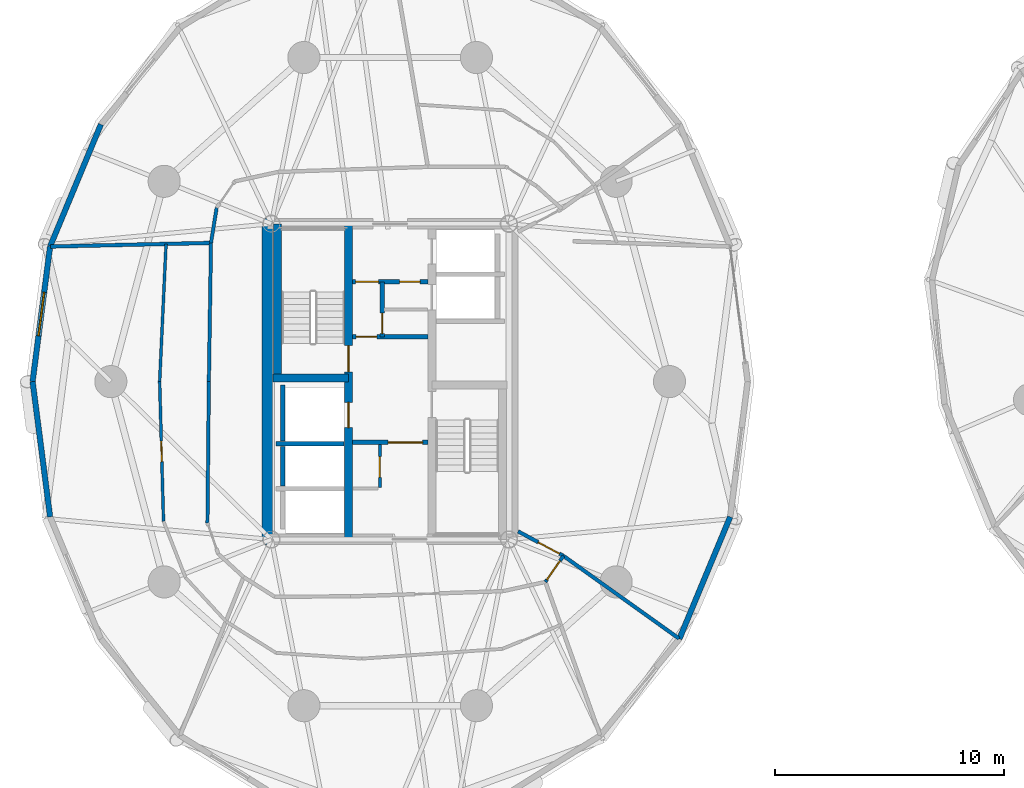
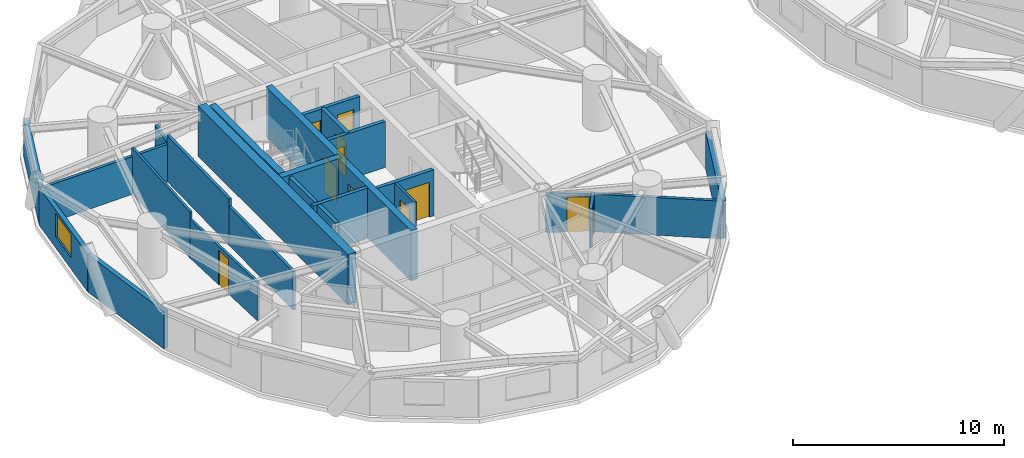
# One storey, part 10 of 17: 25 walls, 11 doors, 1 window, 12 openings.
"""IFC4 building model written with IfcOpenShell, lengths in metres."""

from ifc_helpers import new_model, si_unit, direction, frame, frame_2d, origin, place, context, subcontext, project, spatial, rectangle, extrude, source, transform, mapped, material, layer, layer_set, type_object, element, fill, save


model = new_model("IFC4")

# Units and contexts
model_context = context("Model", 3, precision=1e-05, world=origin(), true_north=direction((0.0, 1.0)))
body_context = subcontext(model_context, "Body", "Model", "MODEL_VIEW")
ifc_project = project(units=[si_unit("LENGTHUNIT", "METRE"), si_unit("AREAUNIT", "SQUARE_METRE"), si_unit("VOLUMEUNIT", "CUBIC_METRE"), si_unit("PLANEANGLEUNIT", "RADIAN"), si_unit("MASSUNIT", "GRAM", prefix="KILO")], contexts=[model_context])

# Site, building, storey
site_placement = place(None, origin())
site = spatial("IfcSite", under=ifc_project, at=site_placement, CompositionType="ELEMENT")
building_placement = place(site_placement, origin())
building = spatial("IfcBuilding", under=site, at=building_placement, Name="Cununo Teusaquillo Station Towers", CompositionType="ELEMENT")
storey_placement = place(building_placement, frame((0.0, 0.0, 107.97998046875)))
storey = spatial("IfcBuildingStorey", under=building, at=storey_placement, Name="L34", CompositionType="ELEMENT", Elevation=107.97998046875)

# Walls
ifc_material_1 = material(Name="Concrete C50/60", Category="concrete")
ifc_layer_1 = layer(ifc_material_1, 0.199951171875)
ifc_layer_set_1 = layer_set([ifc_layer_1], Name="Concrete C50/60")
wall_type_1 = type_object("IfcWallType", Name="WL-CORE-200", PredefinedType="SHEAR", material=ifc_layer_set_1)
wall_1_placement = place(storey_placement, frame((11.52001953125, 21.800048828125, 0.0), z_axis=(0.0, 0.0, 1.0), x_axis=(1.0, 0.0, 0.0)))
element("IfcWall", 1, at=wall_1_placement, inside=storey, type_object=wall_type_1, Name="L34 Tower A Firefighting Lift Shaft South Shear Wall", PredefinedType="SHEAR", context=body_context, shape_type="SweptSolid", body=[
    extrude(rectangle(XDim=2.969970703125, YDim=0.199951171875, at=frame_2d((1.48486328125, 0.0))), origin(), (0.0, 0.0, 1.0), 2.909912109375),
])
wall_2_placement = place(storey_placement, frame((11.820068359375, 21.919921875, 0.0), z_axis=(0.0, 0.0, 1.0), x_axis=(0.0, 1.0, 0.0)))
element("IfcWall", 2, at=wall_2_placement, inside=storey, type_object=wall_type_1, Name="L34 Tower A Firefighting Lift Shaft Rear Shear Wall", PredefinedType="SHEAR", context=body_context, shape_type="SweptSolid", body=[
    extrude(rectangle(XDim=2.440185546875, YDim=0.199951171875, at=frame_2d((1.22021484375, 0.0))), origin(), (0.0, 0.0, 1.0), 2.909912109375),
])
wall_3_placement = place(storey_placement, frame((11.820068359375, 19.945068359375, 0.0), z_axis=(0.0, 0.0, 1.0), x_axis=(0.0, 1.0, 0.0)))
element("IfcWall", 3, at=wall_3_placement, inside=storey, type_object=wall_type_1, Name="L34 Tower A High-Rise Lift 2 Shaft Rear Shear Wall", PredefinedType="SHEAR", context=body_context, shape_type="SweptSolid", body=[
    extrude(rectangle(XDim=1.73486328125, YDim=0.199951171875, at=frame_2d((0.867431640625, 0.0))), origin(), (0.0, 0.0, 1.0), 2.909912109375),
])

# Wall, openings, doors
ifc_material_2 = material(Name="Concrete C50/60", Category="concrete")
ifc_layer_2 = layer(ifc_material_2, 0.35009765625)
ifc_layer_set_2 = layer_set([ifc_layer_2], Name="Concrete C50/60")
wall_type_2 = type_object("IfcWallType", Name="WL-CORE-350", PredefinedType="SHEAR", material=ifc_layer_set_2)
wall_4_placement = place(storey_placement, frame((14.68505859375, 17.625, 0.0), z_axis=(0.0, 0.0, 1.0), x_axis=(0.0, 1.0, 0.0)))
wall_4 = element("IfcWall", 4, at=wall_4_placement, inside=storey, type_object=wall_type_2, Name="L34 Tower A Core Shear Wall IW", PredefinedType="SHEAR", context=body_context, shape_type="SweptSolid", body=[
    extrude(rectangle(XDim=13.75, YDim=0.35009765625, at=frame_2d((6.875, 0.0))), origin(), (0.0, 0.0, 1.0), 2.909912109375),
])
shared_shape_1 = source(origin(), body_context, "Body", "SweptSolid", [
    extrude(rectangle(XDim=1.10009765625, YDim=2.014892578125, at=frame_2d((0.550048828125, 1.00732421875))), frame((0.0, 0.18505859375, 0.0), z_axis=(0.0, -1.0, 0.0), x_axis=(1.0, 0.0, 0.0)), (0.0, 0.0, 1.0), 0.3701171875),
])
opening_1_placement = place(wall_4_placement, frame((4.875, 0.0, 0.0)))
opening_1 = element("IfcOpeningElement", 5, at=opening_1_placement, cuts=wall_4, Name="Opening LD-01", PredefinedType="OPENING", context=body_context, shape_type="MappedRepresentation", body=[
    mapped(shared_shape_1, transform((0.0, 0.0, 0.0), x_axis=(1.0, 0.0, 0.0), y_axis=(0.0, 1.0, 0.0), z_axis=(0.0, 0.0, 1.0), scale=1.0)),
])
shared_shape_2 = source(origin(), body_context, "Body", "SweptSolid", [
    extrude(rectangle(XDim=1.14990234375, YDim=2.02001953125, at=frame_2d((0.574951171875, 1.010009765625))), frame((0.0, 0.18505859375, 0.0), z_axis=(0.0, -1.0, 0.0), x_axis=(1.0, 0.0, 0.0)), (0.0, 0.0, 1.0), 0.3701171875),
])
opening_2_placement = place(wall_4_placement, frame((7.294921875, 0.0, 0.0)))
opening_2 = element("IfcOpeningElement", 6, at=opening_2_placement, cuts=wall_4, Name="Opening D-ST1", PredefinedType="OPENING", context=body_context, shape_type="MappedRepresentation", body=[
    mapped(shared_shape_2, transform((0.0, 0.0, 0.0), x_axis=(1.0, 0.0, 0.0), y_axis=(0.0, 1.0, 0.0), z_axis=(0.0, 0.0, 1.0), scale=1.0)),
])
ifc_material_3 = material(Name="Galvanised fire-rated hollow steel door assembly", Category="steel")
door_type_1 = type_object("IfcDoorType", Name="DR-LIFT-1100", OperationType="SLIDING_TO_LEFT", PredefinedType="DOOR", material=ifc_material_3)
shared_shape_3 = source(origin(), body_context, "Body", "SweptSolid", [
    extrude(rectangle(XDim=1.10009765625, YDim=2.014892578125, at=frame_2d((0.550048828125, 1.00732421875))), frame((0.0, 0.02490234375, 0.0), z_axis=(0.0, -1.0, 0.0), x_axis=(1.0, 0.0, 0.0)), (0.0, 0.0, 1.0), 0.050048828125),
])
door_1_placement = place(opening_1_placement, origin())
door_1 = element("IfcDoor", 7, at=door_1_placement, inside=storey, type_object=door_type_1, Name="L34 Lift FL-T1 Sliding Landing Door", OperationType="SLIDING_TO_LEFT", OverallHeight=2.014892578125, OverallWidth=1.10009765625, PredefinedType="DOOR", context=body_context, shape_type="MappedRepresentation", body=[
    mapped(shared_shape_3, transform((0.0, 0.0, 0.0), x_axis=(1.0, 0.0, 0.0), y_axis=(0.0, 1.0, 0.0), z_axis=(0.0, 0.0, 1.0), scale=1.0)),
])
fill(opening_1, door_1)
ifc_material_4 = material(Name="Galvanised fire-rated hollow steel door assembly", Category="steel")
door_type_2 = type_object("IfcDoorType", Name="DR-STAIR-1150", OperationType="NOTDEFINED", PredefinedType="DOOR", material=ifc_material_4)
shared_shape_4 = source(origin(), body_context, "Body", "SweptSolid", [
    extrude(rectangle(XDim=1.14990234375, YDim=2.02001953125, at=frame_2d((0.574951171875, 1.010009765625))), frame((0.0, 0.02490234375, 0.0), z_axis=(0.0, -1.0, 0.0), x_axis=(1.0, 0.0, 0.0)), (0.0, 0.0, 1.0), 0.050048828125),
])
door_2_placement = place(opening_2_placement, origin())
door_2 = element("IfcDoor", 8, at=door_2_placement, inside=storey, type_object=door_type_2, Name="L34 Tower A Exit Stair 1 Fire Door", OperationType="SINGLE_SWING_RIGHT", OverallHeight=2.02001953125, OverallWidth=1.14990234375, PredefinedType="DOOR", context=body_context, shape_type="MappedRepresentation", body=[
    mapped(shared_shape_4, transform((0.0, 0.0, 0.0), x_axis=(1.0, 0.0, 0.0), y_axis=(0.0, 1.0, 0.0), z_axis=(0.0, 0.0, 1.0), scale=1.0)),
])
fill(opening_2, door_2)

# Walls
wall_5_placement = place(storey_placement, frame((11.594970703125, 24.655029296875, 0.0), z_axis=(0.0, 0.0, 1.0), x_axis=(0.0, 1.0, 0.0)))
element("IfcWall", 9, at=wall_5_placement, inside=storey, type_object=wall_type_2, Name="L34 Tower A Core Shear Wall ST1W", PredefinedType="SHEAR", context=body_context, shape_type="SweptSolid", body=[
    extrude(rectangle(XDim=6.719970703125, YDim=0.35009765625, at=frame_2d((3.35986328125, 0.0))), origin(), (0.0, 0.0, 1.0), 2.909912109375),
])
wall_6_placement = place(storey_placement, frame((11.39990234375, 24.655029296875, 0.0), z_axis=(0.0, 0.0, 1.0), x_axis=(1.0, 0.0, 0.0)))
element("IfcWall", 10, at=wall_6_placement, inside=storey, type_object=wall_type_2, Name="L34 Tower A Core Shear Wall ST1S", PredefinedType="SHEAR", context=body_context, shape_type="SweptSolid", body=[
    extrude(rectangle(XDim=3.28515625, YDim=0.35009765625, at=frame_2d((1.642578125, 0.0))), origin(), (0.0, 0.0, 1.0), 2.909912109375),
])
ifc_material_5 = material(Name="Concrete C60/75", Category="concrete")
ifc_layer_3 = layer(ifc_material_5, 0.449951171875)
ifc_layer_set_3 = layer_set([ifc_layer_3], Name="Concrete C60/75")
wall_type_3 = type_object("IfcWallType", Name="WL-CORE-450", PredefinedType="SHEAR", material=ifc_layer_set_3)
wall_7_placement = place(storey_placement, frame((11.14990234375, 17.39990234375, 0.0), z_axis=(0.0, 0.0, 1.0), x_axis=(0.0, 1.0, 0.0)))
element("IfcWall", 11, at=wall_7_placement, inside=storey, type_object=wall_type_3, Name="L34 Tower A Core Shear Wall W", PredefinedType="SHEAR", context=body_context, shape_type="SweptSolid", body=[
    extrude(rectangle(XDim=14.2001953125, YDim=0.449951171875, at=frame_2d((7.10009765625, 0.0))), origin(), (0.0, 0.0, 1.0), 2.909912109375),
])
ifc_material_6 = material(Name="Precast concrete C40/50", Category="concrete")
ifc_layer_4 = layer(ifc_material_6, 0.239990234375)
ifc_layer_set_4 = layer_set([ifc_layer_4], Name="Precast concrete C40/50")
wall_type_4 = type_object("IfcWallType", Name="WL-EXT-240", PredefinedType="SOLIDWALL", material=ifc_layer_set_4)
wall_8_placement = place(storey_placement, frame((1.681640625, 30.39306640625, 0.0), z_axis=(0.0, 0.0, 1.0), x_axis=(0.384344417632, 0.923189779317, 0.0)))
element("IfcWall", 12, at=wall_8_placement, inside=storey, type_object=wall_type_4, Name="L34 Tower A Exterior Facade Wall C08", PredefinedType="SOLIDWALL", context=body_context, shape_type="SweptSolid", body=[
    extrude(rectangle(XDim=5.75830078125, YDim=0.239990234375, at=frame_2d((2.879150390625, 0.0))), origin(), (0.0, 0.0, 1.0), 2.178955078125),
])

# Wall, opening, window
wall_9_placement = place(storey_placement, frame((0.9189453125, 24.5, 0.0), z_axis=(0.0, 0.0, 1.0), x_axis=(0.128351991996, 0.991728675672, 0.0)))
wall_9 = element("IfcWall", 13, at=wall_9_placement, inside=storey, type_object=wall_type_4, Name="L34 Tower A Exterior Facade Wall C09", PredefinedType="SOLIDWALL", context=body_context, shape_type="SweptSolid", body=[
    extrude(rectangle(XDim=5.942138671875, YDim=0.239990234375, at=frame_2d((2.97119140625, 0.0))), origin(), (0.0, 0.0, 1.0), 2.178955078125),
])
shared_shape_5 = source(origin(), body_context, "Body", "SweptSolid", [
    extrude(rectangle(XDim=1.89990234375, YDim=1.35009765625, at=frame_2d((0.949951171875, 0.675048828125))), frame((0.0, 0.1298828125, 0.0), z_axis=(0.0, -1.0, 0.0), x_axis=(1.0, 0.0, 0.0)), (0.0, 0.0, 1.0), 0.260009765625),
])
opening_3_placement = place(wall_9_placement, frame((2.02099609375, 0.0, 0.64990234375)))
opening_3 = element("IfcOpeningElement", 14, at=opening_3_placement, cuts=wall_9, Name="Opening WN-02", PredefinedType="OPENING", context=body_context, shape_type="MappedRepresentation", body=[
    mapped(shared_shape_5, transform((0.0, 0.0, 0.0), x_axis=(1.0, 0.0, 0.0), y_axis=(0.0, 1.0, 0.0), z_axis=(0.0, 0.0, 1.0), scale=1.0)),
])
ifc_material_7 = material(Name="Operable acoustic tinted low-E double glazing", Category="glass")
window_type = type_object("IfcWindowType", Name="WIN-OPER-1900", PartitioningType="DOUBLE_PANEL_VERTICAL", PredefinedType="WINDOW", material=ifc_material_7)
shared_shape_6 = source(origin(), body_context, "Body", "SweptSolid", [
    extrude(rectangle(XDim=1.89990234375, YDim=1.35009765625, at=frame_2d((0.949951171875, 0.675048828125))), frame((0.0, 0.030029296875, 0.0), z_axis=(0.0, -1.0, 0.0), x_axis=(1.0, 0.0, 0.0)), (0.0, 0.0, 1.0), 0.06005859375),
])
window_placement = place(opening_3_placement, origin())
window = element("IfcWindow", 15, at=window_placement, inside=storey, type_object=window_type, Name="L34 Tower A Facade Window C09", OverallHeight=1.35009765625, OverallWidth=1.89990234375, PartitioningType="DOUBLE_PANEL_VERTICAL", PredefinedType="WINDOW", context=body_context, shape_type="MappedRepresentation", body=[
    mapped(shared_shape_6, transform((0.0, 0.0, 0.0), x_axis=(1.0, 0.0, 0.0), y_axis=(0.0, 1.0, 0.0), z_axis=(0.0, 0.0, 1.0), scale=1.0)),
])
fill(opening_3, window)

# Walls
wall_10_placement = place(storey_placement, frame((1.681640625, 18.60693359375, 0.0), z_axis=(0.0, 0.0, 1.0), x_axis=(-0.128351991996, 0.991728675672, 0.0)))
element("IfcWall", 16, at=wall_10_placement, inside=storey, type_object=wall_type_4, Name="L34 Tower A Exterior Facade Wall C10", PredefinedType="SOLIDWALL", context=body_context, shape_type="SweptSolid", body=[
    extrude(rectangle(XDim=5.942138671875, YDim=0.239990234375, at=frame_2d((2.97119140625, 0.0))), origin(), (0.0, 0.0, 1.0), 2.178955078125),
])
wall_11_placement = place(storey_placement, frame((31.318359375, 18.60693359375, 0.0), z_axis=(0.0, 0.0, 1.0), x_axis=(-0.384344417632, -0.923189779317, 0.0)))
element("IfcWall", 17, at=wall_11_placement, inside=storey, type_object=wall_type_4, Name="L34 Tower A Exterior Facade Wall C18", PredefinedType="SOLIDWALL", context=body_context, shape_type="SweptSolid", body=[
    extrude(rectangle(XDim=5.75830078125, YDim=0.239990234375, at=frame_2d((2.879150390625, 0.0))), origin(), (0.0, 0.0, 1.0), 2.178955078125),
])

# Wall, opening, door
ifc_material_8 = material(Name="Fire-rated gypsum plasterboard partition assembly", Category="gypsum")
ifc_layer_5 = layer(ifc_material_8, 0.125)
ifc_layer_set_5 = layer_set([ifc_layer_5], Name="Fire-rated gypsum plasterboard partition assembly")
wall_type_5 = type_object("IfcWallType", Name="WL-PART-125", PredefinedType="PARTITIONING", material=ifc_layer_set_5)
wall_12_placement = place(storey_placement, frame((16.050048828125, 19.8798828125, 0.0), z_axis=(0.0, 0.0, 1.0), x_axis=(0.0, 1.0, 0.0)))
wall_12 = element("IfcWall", 18, at=wall_12_placement, inside=storey, type_object=wall_type_5, Name="L34 Tower A North-West Lobby Store East Wall", PredefinedType="PARTITIONING", context=body_context, shape_type="SweptSolid", body=[
    extrude(rectangle(XDim=1.8701171875, YDim=0.125, at=frame_2d((0.93505859375, 0.0))), origin(), (0.0, 0.0, 1.0), 2.655029296875),
])
shared_shape_7 = source(origin(), body_context, "Body", "SweptSolid", [
    extrude(rectangle(XDim=0.89990234375, YDim=2.0048828125, at=frame_2d((0.449951171875, 1.00244140625))), frame((0.0, 0.072509765625, 0.0), z_axis=(0.0, -1.0, 0.0), x_axis=(1.0, 0.0, 0.0)), (0.0, 0.0, 1.0), 0.14501953125),
])
opening_4_placement = place(wall_12_placement, frame((0.449951171875, 0.0, 0.0)))
opening_4 = element("IfcOpeningElement", 19, at=opening_4_placement, cuts=wall_12, Name="Opening D-SR1", PredefinedType="OPENING", context=body_context, shape_type="MappedRepresentation", body=[
    mapped(shared_shape_7, transform((0.0, 0.0, 0.0), x_axis=(1.0, 0.0, 0.0), y_axis=(0.0, 1.0, 0.0), z_axis=(0.0, 0.0, 1.0), scale=1.0)),
])
ifc_material_9 = material(Name="Galvanised fire-rated hollow steel door assembly", Category="steel")
door_type_3 = type_object("IfcDoorType", Name="DR-STORE-900", OperationType="NOTDEFINED", PredefinedType="DOOR", material=ifc_material_9)
shared_shape_8 = source(origin(), body_context, "Body", "SweptSolid", [
    extrude(rectangle(XDim=0.89990234375, YDim=2.0048828125, at=frame_2d((0.449951171875, 1.00244140625))), frame((0.0, 0.02490234375, 0.0), z_axis=(0.0, -1.0, 0.0), x_axis=(1.0, 0.0, 0.0)), (0.0, 0.0, 1.0), 0.050048828125),
])
door_3_placement = place(opening_4_placement, origin())
door_3 = element("IfcDoor", 20, at=door_3_placement, inside=storey, type_object=door_type_3, Name="L34 Tower A South Lobby Data Store Door", OperationType="SINGLE_SWING_RIGHT", OverallHeight=2.0048828125, OverallWidth=0.89990234375, PredefinedType="DOOR", context=body_context, shape_type="MappedRepresentation", body=[
    mapped(shared_shape_8, transform((0.0, 0.0, 0.0), x_axis=(1.0, 0.0, 0.0), y_axis=(0.0, 1.0, 0.0), z_axis=(0.0, 0.0, 1.0), scale=1.0)),
])
fill(opening_4, door_3)

# Wall
wall_13_placement = place(storey_placement, frame((6.73486328125, 30.5, 0.0), z_axis=(0.0, 0.0, 1.0), x_axis=(-0.046620801603, -0.998912659274, 0.0)))
element("IfcWall", 21, at=wall_13_placement, inside=storey, type_object=wall_type_5, Name="L34 Tower A Ambassadorial Executive Office Concentric Partition Wall C09", PredefinedType="PARTITIONING", context=body_context, shape_type="SweptSolid", body=[
    extrude(rectangle(XDim=6.006591796875, YDim=0.125, at=frame_2d((3.00341796875, 0.0))), origin(), (0.0, 0.0, 1.0), 2.655029296875),
])

# Wall, opening, door
wall_14_placement = place(storey_placement, frame((6.454833984375, 24.5, 0.0), z_axis=(0.0, 0.0, 1.0), x_axis=(0.027753708707, -0.999614791634, 0.0)))
wall_14 = element("IfcWall", 22, at=wall_14_placement, inside=storey, type_object=wall_type_5, Name="L34 Tower A Ambassadorial Executive Office Concentric Partition Wall C10", PredefinedType="PARTITIONING", context=body_context, shape_type="SweptSolid", body=[
    extrude(rectangle(XDim=6.08740234375, YDim=0.125, at=frame_2d((3.043701171875, 0.0))), origin(), (0.0, 0.0, 1.0), 2.22509765625),
])
opening_5_placement = place(wall_14_placement, frame((2.593505859375, 0.0, 0.0)))
opening_5 = element("IfcOpeningElement", 23, at=opening_5_placement, cuts=wall_14, Name="Opening D-IN1", PredefinedType="OPENING", context=body_context, shape_type="MappedRepresentation", body=[
    mapped(shared_shape_7, transform((0.0, 0.0, 0.0), x_axis=(1.0, 0.0, 0.0), y_axis=(0.0, 1.0, 0.0), z_axis=(0.0, 0.0, 1.0), scale=1.0)),
])
ifc_material_10 = material(Name="Acoustic solid-core hardwood leaf assembly", Category="wood")
door_type_4 = type_object("IfcDoorType", Name="DR-INT-900", OperationType="NOTDEFINED", PredefinedType="DOOR", material=ifc_material_10)
door_4_placement = place(opening_5_placement, origin())
door_4 = element("IfcDoor", 24, at=door_4_placement, inside=storey, type_object=door_type_4, Name="L34 Tower A Ambassadorial Executive Office Connecting Door", OperationType="SINGLE_SWING_LEFT", OverallHeight=2.0048828125, OverallWidth=0.89990234375, PredefinedType="DOOR", context=body_context, shape_type="MappedRepresentation", body=[
    mapped(shared_shape_8, transform((0.0, 0.0, 0.0), x_axis=(1.0, 0.0, 0.0), y_axis=(0.0, 1.0, 0.0), z_axis=(0.0, 0.0, 1.0), scale=1.0)),
])
fill(opening_5, door_4)

# Walls
ifc_material_11 = material(Name="Fire-rated gypsum plasterboard partition assembly", Category="gypsum")
ifc_layer_6 = layer(ifc_material_11, 0.14990234375)
ifc_layer_set_6 = layer_set([ifc_layer_6], Name="Fire-rated gypsum plasterboard partition assembly")
wall_type_6 = type_object("IfcWallType", Name="WL-PART-150", PredefinedType="PARTITIONING", material=ifc_layer_set_6)
wall_15_placement = place(storey_placement, frame((8.93994140625, 32.078369140625, 0.0), z_axis=(0.0, 0.0, 1.0), x_axis=(-0.159148467753, -0.98725466077, 0.0)))
element("IfcWall", 25, at=wall_15_placement, inside=storey, type_object=wall_type_6, Name="L34 Tower A Corridor Ring Wall C08", PredefinedType="PARTITIONING", context=body_context, shape_type="SweptSolid", body=[
    extrude(rectangle(XDim=1.553955078125, YDim=0.14990234375, at=frame_2d((0.77685546875, 0.0))), origin(), (0.0, 0.0, 1.0), 2.22509765625),
])
wall_16_placement = place(storey_placement, frame((8.692626953125, 30.544189453125, 0.0), z_axis=(0.0, 0.0, 1.0), x_axis=(-0.015307007986, -0.99988284089, 0.0)))
element("IfcWall", 26, at=wall_16_placement, inside=storey, type_object=wall_type_6, Name="L34 Tower A Corridor Ring Wall C09", PredefinedType="PARTITIONING", context=body_context, shape_type="SweptSolid", body=[
    extrude(rectangle(XDim=6.044921875, YDim=0.14990234375, at=frame_2d((3.0224609375, 0.0))), origin(), (0.0, 0.0, 1.0), 2.655029296875),
])
wall_17_placement = place(storey_placement, frame((8.60009765625, 24.5, 0.0), z_axis=(0.0, 0.0, 1.0), x_axis=(-0.010023665349, -0.999949761805, 0.0)))
element("IfcWall", 27, at=wall_17_placement, inside=storey, type_object=wall_type_6, Name="L34 Tower A Corridor Ring Wall C10", PredefinedType="PARTITIONING", context=body_context, shape_type="SweptSolid", body=[
    extrude(rectangle(XDim=6.162109375, YDim=0.14990234375, at=frame_2d((3.0810546875, 0.0))), origin(), (0.0, 0.0, 1.0), 2.22509765625),
])

# Wall, opening, door
wall_18_placement = place(storey_placement, frame((23.263427734375, 15.77001953125, 0.0), z_axis=(0.0, 0.0, 1.0), x_axis=(0.570743456919, 0.821128434768, 0.0)))
wall_18 = element("IfcWall", 28, at=wall_18_placement, inside=storey, type_object=wall_type_6, Name="L34 Tower A Corridor Ring Wall C17", PredefinedType="PARTITIONING", context=body_context, shape_type="SweptSolid", body=[
    extrude(rectangle(XDim=1.381591796875, YDim=0.14990234375, at=frame_2d((0.69091796875, 0.0))), origin(), (0.0, 0.0, 1.0), 2.22509765625),
])
shared_shape_9 = source(origin(), body_context, "Body", "SweptSolid", [
    extrude(rectangle(XDim=1.0, YDim=2.014892578125, at=frame_2d((0.5, 1.00732421875))), frame((0.0, 0.0849609375, 0.0), z_axis=(0.0, -1.0, 0.0), x_axis=(1.0, 0.0, 0.0)), (0.0, 0.0, 1.0), 0.169921875),
])
opening_6_placement = place(wall_18_placement, frame((0.1201171875, 0.0, 0.0)))
opening_6 = element("IfcOpeningElement", 29, at=opening_6_placement, cuts=wall_18, Name="Opening D-AC1", PredefinedType="OPENING", context=body_context, shape_type="MappedRepresentation", body=[
    mapped(shared_shape_9, transform((0.0, 0.0, 0.0), x_axis=(1.0, 0.0, 0.0), y_axis=(0.0, 1.0, 0.0), z_axis=(0.0, 0.0, 1.0), scale=1.0)),
])
ifc_material_12 = material(Name="Acoustic solid-core hardwood leaf assembly", Category="wood")
door_type_5 = type_object("IfcDoorType", Name="DR-ACC-1000", OperationType="NOTDEFINED", PredefinedType="DOOR", material=ifc_material_12)
shared_shape_10 = source(origin(), body_context, "Body", "SweptSolid", [
    extrude(rectangle(XDim=1.0, YDim=2.014892578125, at=frame_2d((0.5, 1.00732421875))), frame((0.0, 0.02490234375, 0.0), z_axis=(0.0, -1.0, 0.0), x_axis=(1.0, 0.0, 0.0)), (0.0, 0.0, 1.0), 0.050048828125),
])
door_5_placement = place(opening_6_placement, origin())
door_5 = element("IfcDoor", 30, at=door_5_placement, inside=storey, type_object=door_type_5, Name="L34 Tower A Public Accessible Restroom WC Entrance Door", OperationType="SINGLE_SWING_RIGHT", OverallHeight=2.014892578125, OverallWidth=1.0, PredefinedType="DOOR", context=body_context, shape_type="MappedRepresentation", body=[
    mapped(shared_shape_10, transform((0.0, 0.0, 0.0), x_axis=(1.0, 0.0, 0.0), y_axis=(0.0, 1.0, 0.0), z_axis=(0.0, 0.0, 1.0), scale=1.0)),
])
fill(opening_6, door_5)

# Walls
ifc_material_13 = material(Name="Fire-rated gypsum plasterboard partition assembly", Category="gypsum")
ifc_layer_7 = layer(ifc_material_13, 0.159912109375)
ifc_layer_set_7 = layer_set([ifc_layer_7], Name="Fire-rated gypsum plasterboard partition assembly")
wall_type_7 = type_object("IfcWallType", Name="WL-PART-160", PredefinedType="PARTITIONING", material=ifc_layer_set_7)
wall_19_placement = place(storey_placement, frame((8.692626953125, 30.544189453125, 0.0), z_axis=(0.0, 0.0, 1.0), x_axis=(-0.999746482141, -0.022516026432, 0.0)))
element("IfcWall", 31, at=wall_19_placement, inside=storey, type_object=wall_type_7, Name="L34 Tower A Radial Suite Partition R04", PredefinedType="PARTITIONING", context=body_context, shape_type="SweptSolid", body=[
    extrude(rectangle(XDim=6.99365234375, YDim=0.159912109375, at=frame_2d((3.496826171875, 0.0))), origin(), (0.0, 0.0, 1.0), 2.178955078125),
])
wall_20_placement = place(storey_placement, frame((24.052001953125, 16.904541015625, 0.0), z_axis=(0.0, 0.0, 1.0), x_axis=(0.813437670746, -0.581652091727, 0.0)))
element("IfcWall", 32, at=wall_20_placement, inside=storey, type_object=wall_type_7, Name="L34 Tower A Radial Suite Partition R07", PredefinedType="PARTITIONING", context=body_context, shape_type="SweptSolid", body=[
    extrude(rectangle(XDim=6.1923828125, YDim=0.159912109375, at=frame_2d((3.09619140625, 0.0))), origin(), (0.0, 0.0, 1.0), 2.178955078125),
])

# Wall, opening, door
wall_21_placement = place(storey_placement, frame((22.074951171875, 17.97509765625, 0.0), z_axis=(0.0, 0.0, 1.0), x_axis=(0.879356383302, -0.476164206073, 0.0)))
wall_21 = element("IfcWall", 33, at=wall_21_placement, inside=storey, type_object=wall_type_7, Name="L34 Tower A East Salon Corridor Portal Wall SE", PredefinedType="PARTITIONING", context=body_context, shape_type="SweptSolid", body=[
    extrude(rectangle(XDim=2.248291015625, YDim=0.159912109375, at=frame_2d((1.1240234375, 0.0))), origin(), (0.0, 0.0, 1.0), 2.22509765625),
])
shared_shape_11 = source(origin(), body_context, "Body", "SweptSolid", [
    extrude(rectangle(XDim=1.050048828125, YDim=2.014892578125, at=frame_2d((0.52490234375, 1.00732421875))), frame((0.0, 0.08984375, 0.0), z_axis=(0.0, -1.0, 0.0), x_axis=(1.0, 0.0, 0.0)), (0.0, 0.0, 1.0), 0.179931640625),
])
opening_7_placement = place(wall_21_placement, frame((0.998291015625, 0.0, 0.0)))
opening_7 = element("IfcOpeningElement", 34, at=opening_7_placement, cuts=wall_21, Name="Opening D-SU1", PredefinedType="OPENING", context=body_context, shape_type="MappedRepresentation", body=[
    mapped(shared_shape_11, transform((0.0, 0.0, 0.0), x_axis=(1.0, 0.0, 0.0), y_axis=(0.0, 1.0, 0.0), z_axis=(0.0, 0.0, 1.0), scale=1.0)),
])
ifc_material_14 = material(Name="Acoustic solid-core hardwood leaf assembly", Category="wood")
door_type_6 = type_object("IfcDoorType", Name="DR-SUITE-1050", OperationType="NOTDEFINED", PredefinedType="DOOR", material=ifc_material_14)
shared_shape_12 = source(origin(), body_context, "Body", "SweptSolid", [
    extrude(rectangle(XDim=1.050048828125, YDim=2.014892578125, at=frame_2d((0.52490234375, 1.00732421875))), frame((0.0, 0.02490234375, 0.0), z_axis=(0.0, -1.0, 0.0), x_axis=(1.0, 0.0, 0.0)), (0.0, 0.0, 1.0), 0.050048828125),
])
door_6_placement = place(opening_7_placement, origin())
door_6 = element("IfcDoor", 35, at=door_6_placement, inside=storey, type_object=door_type_6, Name="L34 Tower A East Panorama Sky Salon Door SE", OperationType="SINGLE_SWING_RIGHT", OverallHeight=2.014892578125, OverallWidth=1.050048828125, PredefinedType="DOOR", context=body_context, shape_type="MappedRepresentation", body=[
    mapped(shared_shape_12, transform((0.0, 0.0, 0.0), x_axis=(1.0, 0.0, 0.0), y_axis=(0.0, 1.0, 0.0), z_axis=(0.0, 0.0, 1.0), scale=1.0)),
])
fill(opening_7, door_6)

ifc_material_15 = material(Name="Fire-rated gypsum plasterboard partition assembly", Category="gypsum")
ifc_layer_8 = layer(ifc_material_15, 0.199951171875)
ifc_layer_set_8 = layer_set([ifc_layer_8], Name="Fire-rated gypsum plasterboard partition assembly")
wall_type_8 = type_object("IfcWallType", Name="WL-PART-200", PredefinedType="PARTITIONING", material=ifc_layer_set_8)
wall_22_placement = place(storey_placement, frame((14.860107421875, 21.85009765625, 0.0), z_axis=(0.0, 0.0, 1.0), x_axis=(1.0, 0.0, 0.0)))
wall_22 = element("IfcWall", 36, at=wall_22_placement, inside=storey, type_object=wall_type_8, Name="L34 Tower A Firefighting Lift Lobby South Fire Wall", PredefinedType="PARTITIONING", context=body_context, shape_type="SweptSolid", body=[
    extrude(rectangle(XDim=3.27978515625, YDim=0.199951171875, at=frame_2d((1.639892578125, 0.0))), origin(), (0.0, 0.0, 1.0), 2.655029296875),
])
shared_shape_13 = source(origin(), body_context, "Body", "SweptSolid", [
    extrude(rectangle(XDim=1.5, YDim=2.02001953125, at=frame_2d((0.75, 1.010009765625))), frame((0.0, 0.10986328125, 0.0), z_axis=(0.0, -1.0, 0.0), x_axis=(1.0, 0.0, 0.0)), (0.0, 0.0, 1.0), 0.219970703125),
])
opening_8_placement = place(wall_22_placement, frame((1.550048828125, 0.0, 0.0)))
opening_8 = element("IfcOpeningElement", 37, at=opening_8_placement, cuts=wall_22, Name="Opening D-LB1", PredefinedType="OPENING", context=body_context, shape_type="MappedRepresentation", body=[
    mapped(shared_shape_13, transform((0.0, 0.0, 0.0), x_axis=(1.0, 0.0, 0.0), y_axis=(0.0, 1.0, 0.0), z_axis=(0.0, 0.0, 1.0), scale=1.0)),
])
ifc_material_16 = material(Name="Galvanised fire-rated hollow steel door assembly", Category="steel")
door_type_7 = type_object("IfcDoorType", Name="DR-LOBBY-1500", OperationType="DOUBLE_DOOR_SINGLE_SWING", PredefinedType="DOOR", material=ifc_material_16)
shared_shape_14 = source(origin(), body_context, "Body", "SweptSolid", [
    extrude(rectangle(XDim=1.5, YDim=2.02001953125, at=frame_2d((0.75, 1.010009765625))), frame((0.0, 0.02490234375, 0.0), z_axis=(0.0, -1.0, 0.0), x_axis=(1.0, 0.0, 0.0)), (0.0, 0.0, 1.0), 0.050048828125),
])
door_7_placement = place(opening_8_placement, origin())
door_7 = element("IfcDoor", 38, at=door_7_placement, inside=storey, type_object=door_type_7, Name="L34 Tower A Firefighting Lift Lobby South Fire Door", OperationType="DOUBLE_DOOR_SINGLE_SWING", OverallHeight=2.02001953125, OverallWidth=1.5, PredefinedType="DOOR", context=body_context, shape_type="MappedRepresentation", body=[
    mapped(shared_shape_14, transform((0.0, 0.0, 0.0), x_axis=(1.0, 0.0, 0.0), y_axis=(0.0, 1.0, 0.0), z_axis=(0.0, 0.0, 1.0), scale=1.0)),
])
fill(opening_8, door_7)

wall_23_placement = place(storey_placement, frame((14.860107421875, 26.449951171875, 0.0), z_axis=(0.0, 0.0, 1.0), x_axis=(1.0, 0.0, 0.0)))
wall_23 = element("IfcWall", 39, at=wall_23_placement, inside=storey, type_object=wall_type_8, Name="L34 Tower A Firefighting Lift Lobby North Fire Wall", PredefinedType="PARTITIONING", context=body_context, shape_type="SweptSolid", body=[
    extrude(rectangle(XDim=3.27978515625, YDim=0.199951171875, at=frame_2d((1.639892578125, 0.0))), origin(), (0.0, 0.0, 1.0), 2.655029296875),
])
shared_shape_15 = source(origin(), body_context, "Body", "SweptSolid", [
    extrude(rectangle(XDim=0.89990234375, YDim=2.0048828125, at=frame_2d((0.449951171875, 1.00244140625))), frame((0.0, 0.10986328125, 0.0), z_axis=(0.0, -1.0, 0.0), x_axis=(1.0, 0.0, 0.0)), (0.0, 0.0, 1.0), 0.219970703125),
])
opening_9_placement = place(wall_23_placement, frame((0.159912109375, 0.0, 0.0)))
opening_9 = element("IfcOpeningElement", 40, at=opening_9_placement, cuts=wall_23, Name="Opening D-SR1", PredefinedType="OPENING", context=body_context, shape_type="MappedRepresentation", body=[
    mapped(shared_shape_15, transform((0.0, 0.0, 0.0), x_axis=(1.0, 0.0, 0.0), y_axis=(0.0, 1.0, 0.0), z_axis=(0.0, 0.0, 1.0), scale=1.0)),
])
door_8_placement = place(opening_9_placement, origin())
door_8 = element("IfcDoor", 41, at=door_8_placement, inside=storey, type_object=door_type_3, Name="L34 Tower A Stair 1 Protected Vestibule South Door", OperationType="SINGLE_SWING_RIGHT", OverallHeight=2.0048828125, OverallWidth=0.89990234375, PredefinedType="DOOR", context=body_context, shape_type="MappedRepresentation", body=[
    mapped(shared_shape_8, transform((0.0, 0.0, 0.0), x_axis=(1.0, 0.0, 0.0), y_axis=(0.0, 1.0, 0.0), z_axis=(0.0, 0.0, 1.0), scale=1.0)),
])
fill(opening_9, door_8)

wall_24_placement = place(storey_placement, frame((16.14990234375, 26.449951171875, 0.0), z_axis=(0.0, 0.0, 1.0), x_axis=(0.0, 1.0, 0.0)))
wall_24 = element("IfcWall", 42, at=wall_24_placement, inside=storey, type_object=wall_type_8, Name="L34 Tower A Stair 1 Vestibule Partition Wall", PredefinedType="PARTITIONING", context=body_context, shape_type="SweptSolid", body=[
    extrude(rectangle(XDim=2.400146484375, YDim=0.199951171875, at=frame_2d((1.2001953125, 0.0))), origin(), (0.0, 0.0, 1.0), 2.655029296875),
])
opening_10_placement = place(wall_24_placement, frame((0.139892578125, 0.0, 0.0)))
opening_10 = element("IfcOpeningElement", 43, at=opening_10_placement, cuts=wall_24, Name="Opening D-SR1", PredefinedType="OPENING", context=body_context, shape_type="MappedRepresentation", body=[
    mapped(shared_shape_15, transform((0.0, 0.0, 0.0), x_axis=(1.0, 0.0, 0.0), y_axis=(0.0, 1.0, 0.0), z_axis=(0.0, 0.0, 1.0), scale=1.0)),
])
door_9_placement = place(opening_10_placement, origin())
door_9 = element("IfcDoor", 44, at=door_9_placement, inside=storey, type_object=door_type_3, Name="L34 Tower A Core Linen Store Door", OperationType="SINGLE_SWING_LEFT", OverallHeight=2.0048828125, OverallWidth=0.89990234375, PredefinedType="DOOR", context=body_context, shape_type="MappedRepresentation", body=[
    mapped(shared_shape_8, transform((0.0, 0.0, 0.0), x_axis=(1.0, 0.0, 0.0), y_axis=(0.0, 1.0, 0.0), z_axis=(0.0, 0.0, 1.0), scale=1.0)),
])
fill(opening_10, door_9)

# Wall, openings, doors
wall_25_placement = place(storey_placement, frame((14.860107421875, 28.85009765625, 0.0), z_axis=(0.0, 0.0, 1.0), x_axis=(1.0, 0.0, 0.0)))
wall_25 = element("IfcWall", 45, at=wall_25_placement, inside=storey, type_object=wall_type_8, Name="L34 Tower A North Lift Lobby South Fire Wall", PredefinedType="PARTITIONING", context=body_context, shape_type="SweptSolid", body=[
    extrude(rectangle(XDim=3.27978515625, YDim=0.199951171875, at=frame_2d((1.639892578125, 0.0))), origin(), (0.0, 0.0, 1.0), 2.655029296875),
])
shared_shape_16 = source(origin(), body_context, "Body", "SweptSolid", [
    extrude(rectangle(XDim=1.0, YDim=2.014892578125, at=frame_2d((0.5, 1.00732421875))), frame((0.0, 0.10986328125, 0.0), z_axis=(0.0, -1.0, 0.0), x_axis=(1.0, 0.0, 0.0)), (0.0, 0.0, 1.0), 0.219970703125),
])
opening_11_placement = place(wall_25_placement, frame((0.139892578125, 0.0, 0.0)))
opening_11 = element("IfcOpeningElement", 46, at=opening_11_placement, cuts=wall_25, Name="Opening D-AC1", PredefinedType="OPENING", context=body_context, shape_type="MappedRepresentation", body=[
    mapped(shared_shape_16, transform((0.0, 0.0, 0.0), x_axis=(1.0, 0.0, 0.0), y_axis=(0.0, 1.0, 0.0), z_axis=(0.0, 0.0, 1.0), scale=1.0)),
])
opening_12_placement = place(wall_25_placement, frame((2.050048828125, 0.0, 0.0)))
opening_12 = element("IfcOpeningElement", 47, at=opening_12_placement, cuts=wall_25, Name="Opening D-SR1", PredefinedType="OPENING", context=body_context, shape_type="MappedRepresentation", body=[
    mapped(shared_shape_15, transform((0.0, 0.0, 0.0), x_axis=(1.0, 0.0, 0.0), y_axis=(0.0, 1.0, 0.0), z_axis=(0.0, 0.0, 1.0), scale=1.0)),
])
door_10_placement = place(opening_12_placement, origin())
door_10 = element("IfcDoor", 48, at=door_10_placement, inside=storey, type_object=door_type_3, Name="L34 Tower A Core Comms Room Door", OperationType="SINGLE_SWING_RIGHT", OverallHeight=2.0048828125, OverallWidth=0.89990234375, PredefinedType="DOOR", context=body_context, shape_type="MappedRepresentation", body=[
    mapped(shared_shape_8, transform((0.0, 0.0, 0.0), x_axis=(1.0, 0.0, 0.0), y_axis=(0.0, 1.0, 0.0), z_axis=(0.0, 0.0, 1.0), scale=1.0)),
])
fill(opening_12, door_10)
door_11_placement = place(opening_11_placement, origin())
door_11 = element("IfcDoor", 49, at=door_11_placement, inside=storey, type_object=door_type_5, Name="L34 Tower A North Lift Lobby to Stair 1 Vestibule Door", OperationType="SINGLE_SWING_LEFT", OverallHeight=2.014892578125, OverallWidth=1.0, PredefinedType="DOOR", context=body_context, shape_type="MappedRepresentation", body=[
    mapped(shared_shape_10, transform((0.0, 0.0, 0.0), x_axis=(1.0, 0.0, 0.0), y_axis=(0.0, 1.0, 0.0), z_axis=(0.0, 0.0, 1.0), scale=1.0)),
])
fill(opening_11, door_11)

save(model, "model.ifc")
